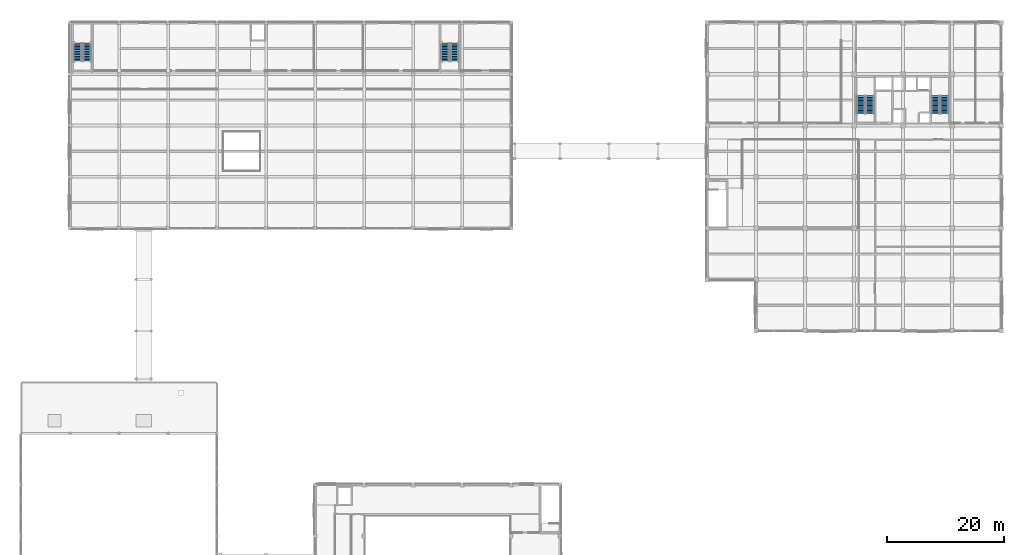
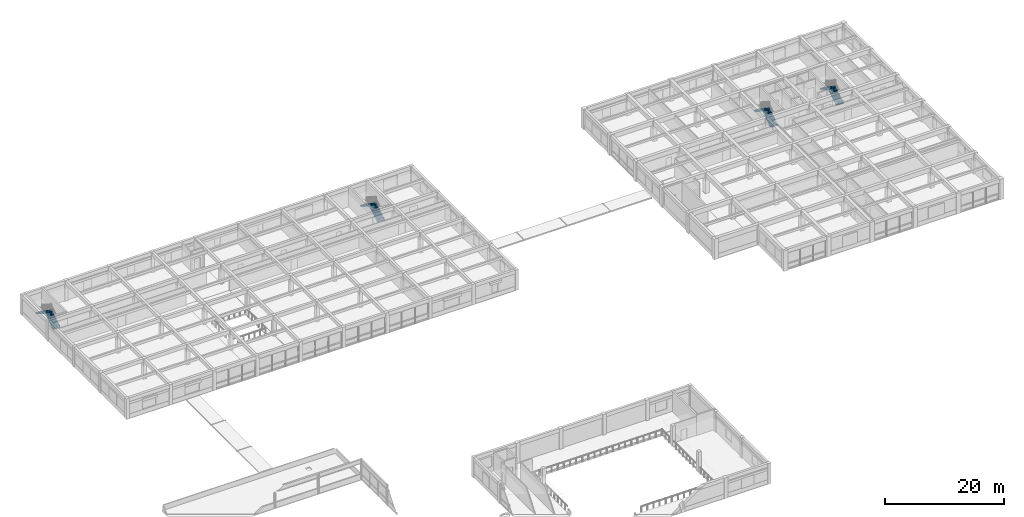
# One storey, part 37 of 46: 8 stair flights, 4 elements without a shape of their own.
"""IFC4 building model written with IfcOpenShell, lengths in metres."""

from ifc_helpers import new_model, si_unit, direction, frame, origin, place, context, subcontext, project, spatial, polyline, outline, extrude, material, type_object, element, aggregate, save


model = new_model("IFC4")

# Units and contexts
model_context = context("Model", 3, precision=1e-05, world=origin(), true_north=direction((0.0, 1.0)))
body_context = subcontext(model_context, "Body", "Model", "MODEL_VIEW")
ifc_project = project(units=[si_unit("LENGTHUNIT", "METRE"), si_unit("AREAUNIT", "SQUARE_METRE"), si_unit("VOLUMEUNIT", "CUBIC_METRE"), si_unit("PLANEANGLEUNIT", "RADIAN"), si_unit("MASSUNIT", "GRAM", prefix="KILO")], contexts=[model_context])

# Site, building, storey
site_placement = place(None, origin())
site = spatial("IfcSite", under=ifc_project, at=site_placement, CompositionType="ELEMENT")
building_placement = place(site_placement, origin())
building = spatial("IfcBuilding", under=site, at=building_placement, Name="Kemercrest Conservatory and Botanical Centre", CompositionType="ELEMENT")
storey_placement = place(building_placement, frame((0.0, 0.0, 9.0)))
storey = spatial("IfcBuildingStorey", under=building, at=storey_placement, Name="L02", CompositionType="ELEMENT", Elevation=9.0)

# Stair, stair flights
ifc_material = material(Name="Concrete C40/50", Category="concrete")
stair_type_1 = type_object("IfcStairType", Name="ST-140-42", PredefinedType="HALF_TURN_STAIR", material=ifc_material)
stair_1_placement = place(storey_placement, origin())
stair_1 = element("IfcStair", 1, at=stair_1_placement, inside=storey, type_object=stair_type_1, Name="L02 Exit stair ST-V3A", PredefinedType="HALF_TURN_STAIR")
stair_flight_type_1 = type_object("IfcStairFlightType", Name="FL-140-42", PredefinedType="STRAIGHT", material=ifc_material)
stair_flight_1_placement = place(storey_placement, frame((19.340087890625, 115.840087890625, 0.0), z_axis=(0.0, 0.0, 1.0), x_axis=(0.0, 1.0, 0.0)))
stair_flight_1 = element("IfcStairFlight", 2, at=stair_flight_1_placement, type_object=stair_flight_type_1, Name="ST-V3A flight 1", NumberOfRisers=12, NumberOfTreads=11, PredefinedType="STRAIGHT", RiserHeight=0.175, TreadLength=0.28, context=body_context, shape_type="SweptSolid", body=[
    extrude(outline(polyline([(0.0, 0.0), (0.0, 0.175048828125), (0.280029296875, 0.175048828125), (0.280029296875, 0.35009765625), (0.56005859375, 0.35009765625), (0.56005859375, 0.52490234375), (0.840087890625, 0.52490234375), (0.840087890625, 0.699951171875), (1.1201171875, 0.699951171875), (1.1201171875, 0.875), (1.39990234375, 0.875), (1.39990234375, 1.050048828125), (1.679931640625, 1.050048828125), (1.679931640625, 1.22509765625), (1.9599609375, 1.22509765625), (1.9599609375, 1.39990234375), (2.239990234375, 1.39990234375), (2.239990234375, 1.574951171875), (2.52001953125, 1.574951171875), (2.52001953125, 1.75), (2.800048828125, 1.75), (2.800048828125, 1.925048828125), (3.080078125, 1.925048828125), (3.080078125, 2.10009765625), (3.080078125, 1.748291015625), (0.28271484375, 0.0), (0.0, 0.0)])), frame((0.0, 0.699951171875, 0.0), z_axis=(0.0, -1.0, 0.0), x_axis=(1.0, 0.0, 0.0)), (0.0, 0.0, 1.0), 1.39990234375),
])
stair_flight_2_placement = place(storey_placement, frame((17.659912109375, 118.919921875, 2.10009765625), z_axis=(0.0, 0.0, 1.0), x_axis=(0.0, -1.0, 0.0)))
stair_flight_2 = element("IfcStairFlight", 3, at=stair_flight_2_placement, type_object=stair_flight_type_1, Name="ST-V3A flight 2", NumberOfRisers=12, NumberOfTreads=11, PredefinedType="STRAIGHT", RiserHeight=0.175, TreadLength=0.28, context=body_context, shape_type="SweptSolid", body=[
    extrude(outline(polyline([(0.0, 0.0), (0.0, 0.175048828125), (0.280029296875, 0.175048828125), (0.280029296875, 0.35009765625), (0.56005859375, 0.35009765625), (0.56005859375, 0.52490234375), (0.840087890625, 0.52490234375), (0.840087890625, 0.699951171875), (1.1201171875, 0.699951171875), (1.1201171875, 0.875), (1.39990234375, 0.875), (1.39990234375, 1.050048828125), (1.679931640625, 1.050048828125), (1.679931640625, 1.22509765625), (1.9599609375, 1.22509765625), (1.9599609375, 1.39990234375), (2.239990234375, 1.39990234375), (2.239990234375, 1.574951171875), (2.52001953125, 1.574951171875), (2.52001953125, 1.75), (2.800048828125, 1.75), (2.800048828125, 1.925048828125), (3.080078125, 1.925048828125), (3.080078125, 2.10009765625), (3.080078125, 1.748291015625), (0.28271484375, 0.0), (0.0, 0.0)])), frame((0.0, 0.699951171875, 0.0), z_axis=(0.0, -1.0, 0.0), x_axis=(1.0, 0.0, 0.0)), (0.0, 0.0, 1.0), 1.39990234375),
])
aggregate(stair_1, [stair_flight_1, stair_flight_2])

stair_2_placement = place(storey_placement, origin())
stair_2 = element("IfcStair", 4, at=stair_2_placement, inside=storey, type_object=stair_type_1, Name="L02 Exit stair ST-V3B", PredefinedType="HALF_TURN_STAIR")
stair_flight_3_placement = place(storey_placement, frame((82.340087890625, 115.840087890625, 0.0), z_axis=(0.0, 0.0, 1.0), x_axis=(0.0, 1.0, 0.0)))
stair_flight_3 = element("IfcStairFlight", 5, at=stair_flight_3_placement, type_object=stair_flight_type_1, Name="ST-V3B flight 1", NumberOfRisers=12, NumberOfTreads=11, PredefinedType="STRAIGHT", RiserHeight=0.175, TreadLength=0.28, context=body_context, shape_type="SweptSolid", body=[
    extrude(outline(polyline([(0.0, 0.0), (0.0, 0.175048828125), (0.280029296875, 0.175048828125), (0.280029296875, 0.35009765625), (0.56005859375, 0.35009765625), (0.56005859375, 0.52490234375), (0.840087890625, 0.52490234375), (0.840087890625, 0.699951171875), (1.1201171875, 0.699951171875), (1.1201171875, 0.875), (1.39990234375, 0.875), (1.39990234375, 1.050048828125), (1.679931640625, 1.050048828125), (1.679931640625, 1.22509765625), (1.9599609375, 1.22509765625), (1.9599609375, 1.39990234375), (2.239990234375, 1.39990234375), (2.239990234375, 1.574951171875), (2.52001953125, 1.574951171875), (2.52001953125, 1.75), (2.800048828125, 1.75), (2.800048828125, 1.925048828125), (3.080078125, 1.925048828125), (3.080078125, 2.10009765625), (3.080078125, 1.748291015625), (0.28271484375, 0.0), (0.0, 0.0)])), frame((0.0, 0.699951171875, 0.0), z_axis=(0.0, -1.0, 0.0), x_axis=(1.0, 0.0, 0.0)), (0.0, 0.0, 1.0), 1.39990234375),
])
stair_flight_4_placement = place(storey_placement, frame((80.659912109375, 118.919921875, 2.10009765625), z_axis=(0.0, 0.0, 1.0), x_axis=(0.0, -1.0, 0.0)))
stair_flight_4 = element("IfcStairFlight", 6, at=stair_flight_4_placement, type_object=stair_flight_type_1, Name="ST-V3B flight 2", NumberOfRisers=12, NumberOfTreads=11, PredefinedType="STRAIGHT", RiserHeight=0.175, TreadLength=0.28, context=body_context, shape_type="SweptSolid", body=[
    extrude(outline(polyline([(0.0, 0.0), (0.0, 0.175048828125), (0.280029296875, 0.175048828125), (0.280029296875, 0.35009765625), (0.56005859375, 0.35009765625), (0.56005859375, 0.52490234375), (0.840087890625, 0.52490234375), (0.840087890625, 0.699951171875), (1.1201171875, 0.699951171875), (1.1201171875, 0.875), (1.39990234375, 0.875), (1.39990234375, 1.050048828125), (1.679931640625, 1.050048828125), (1.679931640625, 1.22509765625), (1.9599609375, 1.22509765625), (1.9599609375, 1.39990234375), (2.239990234375, 1.39990234375), (2.239990234375, 1.574951171875), (2.52001953125, 1.574951171875), (2.52001953125, 1.75), (2.800048828125, 1.75), (2.800048828125, 1.925048828125), (3.080078125, 1.925048828125), (3.080078125, 2.10009765625), (3.080078125, 1.748291015625), (0.28271484375, 0.0), (0.0, 0.0)])), frame((0.0, 0.699951171875, 0.0), z_axis=(0.0, -1.0, 0.0), x_axis=(1.0, 0.0, 0.0)), (0.0, 0.0, 1.0), 1.39990234375),
])
aggregate(stair_2, [stair_flight_3, stair_flight_4])

stair_type_2 = type_object("IfcStairType", Name="ST-142-42", PredefinedType="HALF_TURN_STAIR", material=ifc_material)
stair_3_placement = place(storey_placement, origin())
stair_3 = element("IfcStair", 7, at=stair_3_placement, inside=storey, type_object=stair_type_2, Name="L02 Exit stair ST-V4A", PredefinedType="HALF_TURN_STAIR")
stair_flight_type_2 = type_object("IfcStairFlightType", Name="FL-142-42", PredefinedType="STRAIGHT", material=ifc_material)
stair_flight_5_placement = place(storey_placement, frame((153.530029296875, 106.840087890625, 0.0), z_axis=(0.0, 0.0, 1.0), x_axis=(0.0, 1.0, 0.0)))
stair_flight_5 = element("IfcStairFlight", 8, at=stair_flight_5_placement, type_object=stair_flight_type_2, Name="ST-V4A flight 1", NumberOfRisers=12, NumberOfTreads=11, PredefinedType="STRAIGHT", RiserHeight=0.175, TreadLength=0.28, context=body_context, shape_type="SweptSolid", body=[
    extrude(outline(polyline([(0.0, 0.0), (0.0, 0.175048828125), (0.280029296875, 0.175048828125), (0.280029296875, 0.35009765625), (0.56005859375, 0.35009765625), (0.56005859375, 0.52490234375), (0.840087890625, 0.52490234375), (0.840087890625, 0.699951171875), (1.1201171875, 0.699951171875), (1.1201171875, 0.875), (1.39990234375, 0.875), (1.39990234375, 1.050048828125), (1.679931640625, 1.050048828125), (1.679931640625, 1.22509765625), (1.9599609375, 1.22509765625), (1.9599609375, 1.39990234375), (2.239990234375, 1.39990234375), (2.239990234375, 1.574951171875), (2.52001953125, 1.574951171875), (2.52001953125, 1.75), (2.800048828125, 1.75), (2.800048828125, 1.925048828125), (3.080078125, 1.925048828125), (3.080078125, 2.10009765625), (3.080078125, 1.748291015625), (0.28271484375, 0.0), (0.0, 0.0)])), frame((0.0, 0.7099609375, 0.0), z_axis=(0.0, -1.0, 0.0), x_axis=(1.0, 0.0, 0.0)), (0.0, 0.0, 1.0), 1.419921875),
])
stair_flight_6_placement = place(storey_placement, frame((151.969970703125, 109.919921875, 2.10009765625), z_axis=(0.0, 0.0, 1.0), x_axis=(0.0, -1.0, 0.0)))
stair_flight_6 = element("IfcStairFlight", 9, at=stair_flight_6_placement, type_object=stair_flight_type_2, Name="ST-V4A flight 2", NumberOfRisers=12, NumberOfTreads=11, PredefinedType="STRAIGHT", RiserHeight=0.175, TreadLength=0.28, context=body_context, shape_type="SweptSolid", body=[
    extrude(outline(polyline([(0.0, 0.0), (0.0, 0.175048828125), (0.280029296875, 0.175048828125), (0.280029296875, 0.35009765625), (0.56005859375, 0.35009765625), (0.56005859375, 0.52490234375), (0.840087890625, 0.52490234375), (0.840087890625, 0.699951171875), (1.1201171875, 0.699951171875), (1.1201171875, 0.875), (1.39990234375, 0.875), (1.39990234375, 1.050048828125), (1.679931640625, 1.050048828125), (1.679931640625, 1.22509765625), (1.9599609375, 1.22509765625), (1.9599609375, 1.39990234375), (2.239990234375, 1.39990234375), (2.239990234375, 1.574951171875), (2.52001953125, 1.574951171875), (2.52001953125, 1.75), (2.800048828125, 1.75), (2.800048828125, 1.925048828125), (3.080078125, 1.925048828125), (3.080078125, 2.10009765625), (3.080078125, 1.748291015625), (0.28271484375, 0.0), (0.0, 0.0)])), frame((0.0, 0.7099609375, 0.0), z_axis=(0.0, -1.0, 0.0), x_axis=(1.0, 0.0, 0.0)), (0.0, 0.0, 1.0), 1.419921875),
])
aggregate(stair_3, [stair_flight_5, stair_flight_6])

stair_4_placement = place(storey_placement, origin())
stair_4 = element("IfcStair", 10, at=stair_4_placement, inside=storey, type_object=stair_type_2, Name="L02 Exit stair ST-V4B", PredefinedType="HALF_TURN_STAIR")
stair_flight_7_placement = place(storey_placement, frame((166.330078125, 106.840087890625, 0.0), z_axis=(0.0, 0.0, 1.0), x_axis=(0.0, 1.0, 0.0)))
stair_flight_7 = element("IfcStairFlight", 11, at=stair_flight_7_placement, type_object=stair_flight_type_2, Name="ST-V4B flight 1", NumberOfRisers=12, NumberOfTreads=11, PredefinedType="STRAIGHT", RiserHeight=0.175, TreadLength=0.28, context=body_context, shape_type="SweptSolid", body=[
    extrude(outline(polyline([(0.0, 0.0), (0.0, 0.175048828125), (0.280029296875, 0.175048828125), (0.280029296875, 0.35009765625), (0.56005859375, 0.35009765625), (0.56005859375, 0.52490234375), (0.840087890625, 0.52490234375), (0.840087890625, 0.699951171875), (1.1201171875, 0.699951171875), (1.1201171875, 0.875), (1.39990234375, 0.875), (1.39990234375, 1.050048828125), (1.679931640625, 1.050048828125), (1.679931640625, 1.22509765625), (1.9599609375, 1.22509765625), (1.9599609375, 1.39990234375), (2.239990234375, 1.39990234375), (2.239990234375, 1.574951171875), (2.52001953125, 1.574951171875), (2.52001953125, 1.75), (2.800048828125, 1.75), (2.800048828125, 1.925048828125), (3.080078125, 1.925048828125), (3.080078125, 2.10009765625), (3.080078125, 1.748291015625), (0.28271484375, 0.0), (0.0, 0.0)])), frame((0.0, 0.7099609375, 0.0), z_axis=(0.0, -1.0, 0.0), x_axis=(1.0, 0.0, 0.0)), (0.0, 0.0, 1.0), 1.419921875),
])
stair_flight_8_placement = place(storey_placement, frame((164.77001953125, 109.919921875, 2.10009765625), z_axis=(0.0, 0.0, 1.0), x_axis=(0.0, -1.0, 0.0)))
stair_flight_8 = element("IfcStairFlight", 12, at=stair_flight_8_placement, type_object=stair_flight_type_2, Name="ST-V4B flight 2", NumberOfRisers=12, NumberOfTreads=11, PredefinedType="STRAIGHT", RiserHeight=0.175, TreadLength=0.28, context=body_context, shape_type="SweptSolid", body=[
    extrude(outline(polyline([(0.0, 0.0), (0.0, 0.175048828125), (0.280029296875, 0.175048828125), (0.280029296875, 0.35009765625), (0.56005859375, 0.35009765625), (0.56005859375, 0.52490234375), (0.840087890625, 0.52490234375), (0.840087890625, 0.699951171875), (1.1201171875, 0.699951171875), (1.1201171875, 0.875), (1.39990234375, 0.875), (1.39990234375, 1.050048828125), (1.679931640625, 1.050048828125), (1.679931640625, 1.22509765625), (1.9599609375, 1.22509765625), (1.9599609375, 1.39990234375), (2.239990234375, 1.39990234375), (2.239990234375, 1.574951171875), (2.52001953125, 1.574951171875), (2.52001953125, 1.75), (2.800048828125, 1.75), (2.800048828125, 1.925048828125), (3.080078125, 1.925048828125), (3.080078125, 2.10009765625), (3.080078125, 1.748291015625), (0.28271484375, 0.0), (0.0, 0.0)])), frame((0.0, 0.7099609375, 0.0), z_axis=(0.0, -1.0, 0.0), x_axis=(1.0, 0.0, 0.0)), (0.0, 0.0, 1.0), 1.419921875),
])
aggregate(stair_4, [stair_flight_7, stair_flight_8])

save(model, "model.ifc")
